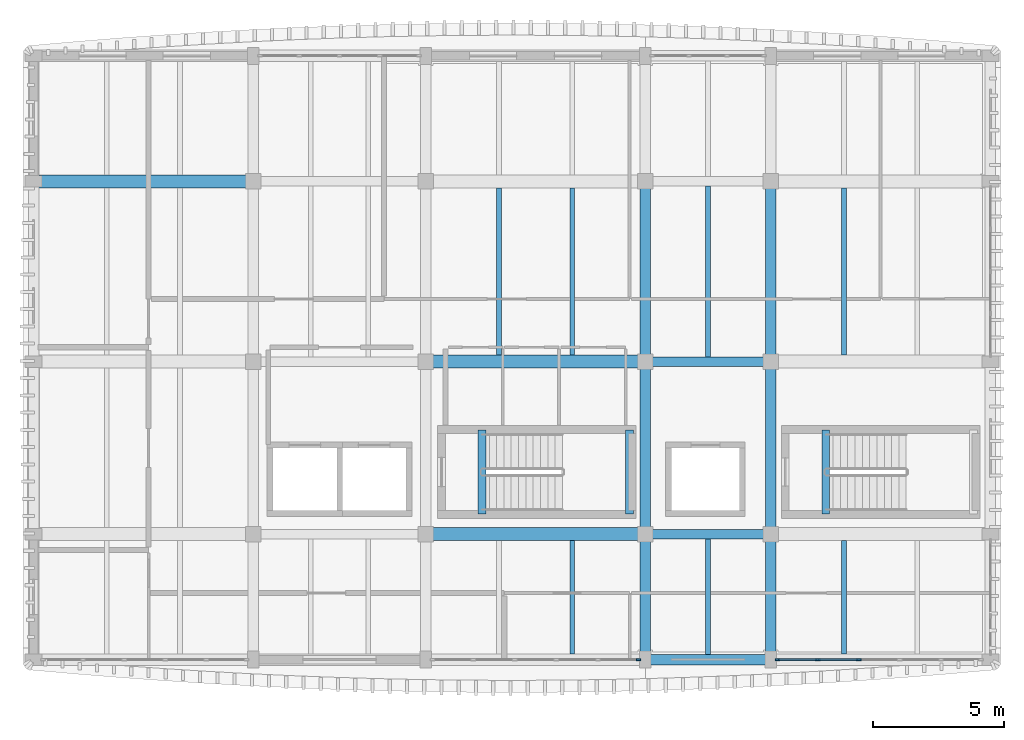
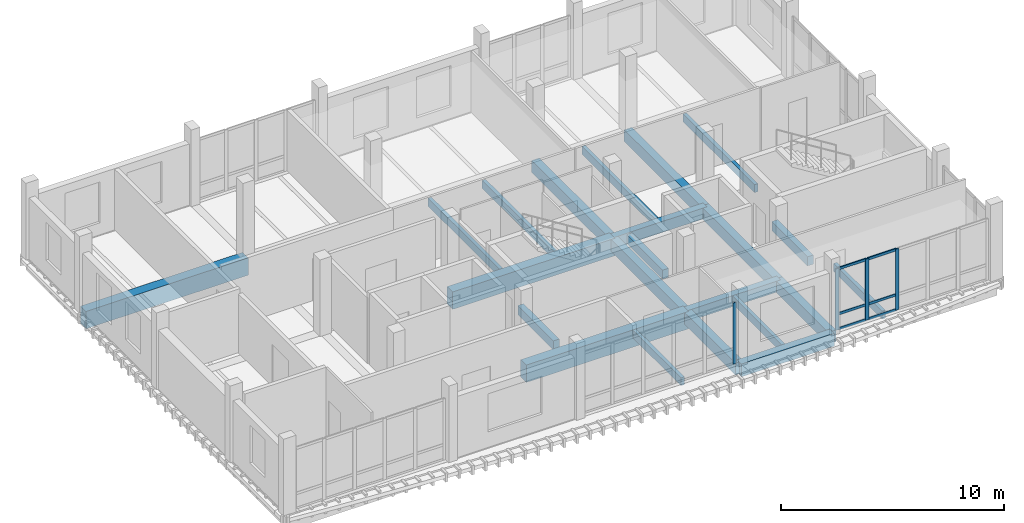
# One storey, part 3 of 16: 22 beams, 10 members, 2 elements without a shape of their own.
"""IFC4 building model written with IfcOpenShell, lengths in metres."""

from ifc_helpers import new_model, si_unit, direction, frame, origin, origin_2d, place, context, subcontext, project, spatial, rectangle, extrude, material, material_profile, profile_set, type_object, element, aggregate, save


model = new_model("IFC4")

# Units and contexts
model_context = context("Model", 3, precision=1e-05, world=origin(), true_north=direction((0.0, 1.0)))
body_context = subcontext(model_context, "Body", "Model", "MODEL_VIEW")
ifc_project = project(units=[si_unit("LENGTHUNIT", "METRE"), si_unit("AREAUNIT", "SQUARE_METRE"), si_unit("VOLUMEUNIT", "CUBIC_METRE"), si_unit("PLANEANGLEUNIT", "RADIAN"), si_unit("MASSUNIT", "GRAM", prefix="KILO")], contexts=[model_context])

# Site, building, storey
site_placement = place(None, origin())
site = spatial("IfcSite", under=ifc_project, at=site_placement, CompositionType="ELEMENT")
building_placement = place(site_placement, origin())
building = spatial("IfcBuilding", under=site, at=building_placement, Name="Dornvale Research Institute", CompositionType="ELEMENT")
storey_placement = place(building_placement, frame((0.0, 0.0, 42.60009765625)))
storey = spatial("IfcBuildingStorey", under=building, at=storey_placement, Name="L09", CompositionType="ELEMENT", Elevation=42.60009765625)

# Beams
ifc_material_1 = material(Name="Concrete f'c 45 MPa (C35/45)", Category="concrete")
ifc_material_profile_1 = material_profile(ifc_material_1, rectangle(XDim=0.300048828125, YDim=0.5, at=origin_2d()), Name="RC 300x500")
ifc_profile_set_1 = profile_set([ifc_material_profile_1], Name="Concrete f'c 45 MPa (C35/45)")
beam_type_1 = type_object("IfcBeamType", Name="Beam_RC300x500_Trim", PredefinedType="BEAM", material=ifc_profile_set_1)
for number, where, z_axis, x_axis, name in (
    (1, (21.949951171875, 104.580078125, -0.25), (0.0, 1.0, 0.0), (-1.0, 0.0, 0.0), "L09 ST-1 stair landing trimmer beam #10"),
    (2, (27.60009765625, 104.580078125, 1.64990234375), (0.0, 1.0, 0.0), (-1.0, 0.0, 0.0), "L09 ST-1 half-landing support beam #23"),
    (3, (35.10009765625, 104.580078125, -0.25), (0.0, 1.0, 0.0), (-1.0, 0.0, 0.0), "L09 ST-2 stair landing trimmer beam #33"),
):
    element("IfcBeam", number, at=place(storey_placement, frame(where, z_axis=z_axis, x_axis=x_axis)), inside=storey, type_object=beam_type_1, Name=name, PredefinedType="BEAM", context=body_context, shape_type="SweptSolid", body=[
        extrude(rectangle(XDim=0.300048828125, YDim=0.5, at=origin_2d()), origin(), (0.0, 0.0, 1.0), 3.199951171875),
    ])
ifc_material_2 = material(Name="Concrete f'c 45 MPa (C35/45)", Category="concrete")
ifc_material_profile_2 = material_profile(ifc_material_2, rectangle(XDim=0.35009765625, YDim=0.60009765625, at=origin_2d()), Name="RC 350x600")
ifc_profile_set_2 = profile_set([ifc_material_profile_2], Name="Concrete f'c 45 MPa (C35/45)")
beam_type_2 = type_object("IfcBeamType", Name="Beam_RC350x600_Floor", PredefinedType="BEAM", material=ifc_profile_set_2)
for number, where, z_axis, x_axis, name in (
    (4, (28.199951171875, 103.800048828125, -0.300048828125), (1.0, 0.0, 0.0), (0.0, 1.0, 0.0), "L09 primary girder #1719"),
    (5, (28.199951171875, 110.39990234375, -0.300048828125), (1.0, 0.0, 0.0), (0.0, 1.0, 0.0), "L09 primary girder #1724"),
):
    element("IfcBeam", number, at=place(storey_placement, frame(where, z_axis=z_axis, x_axis=x_axis)), inside=storey, type_object=beam_type_2, Name=name, PredefinedType="BEAM", context=body_context, shape_type="SweptSolid", body=[
        extrude(rectangle(XDim=0.35009765625, YDim=0.60009765625, at=origin_2d()), origin(), (0.0, 0.0, 1.0), 4.800048828125),
    ])
ifc_material_3 = material(Name="Concrete f'c 45 MPa (C35/45)", Category="concrete")
ifc_material_profile_3 = material_profile(ifc_material_3, rectangle(XDim=0.39990234375, YDim=0.64990234375, at=origin_2d()), Name="RC 400x650")
ifc_profile_set_3 = profile_set([ifc_material_profile_3], Name="Concrete f'c 45 MPa (C35/45)")
beam_type_3 = type_object("IfcBeamType", Name="Beam_RC400x650_Floor", PredefinedType="BEAM", material=ifc_profile_set_3)
beam_1_placement = place(storey_placement, frame((28.199951171875, 99.0, -0.3251953125), z_axis=(0.0, 1.0, 0.0), x_axis=(-1.0, 0.0, 0.0)))
element("IfcBeam", 6, at=beam_1_placement, inside=storey, type_object=beam_type_3, Name="L09 transverse girder #1748", PredefinedType="BEAM", context=body_context, shape_type="SweptSolid", body=[
    extrude(rectangle(XDim=0.39990234375, YDim=0.64990234375, at=origin_2d()), origin(), (0.0, 0.0, 1.0), 4.800048828125),
])
beam_2_placement = place(storey_placement, frame((28.199951171875, 103.800048828125, -0.3251953125), z_axis=(0.0, 1.0, 0.0), x_axis=(-1.0, 0.0, 0.0)))
element("IfcBeam", 7, at=beam_2_placement, inside=storey, type_object=beam_type_3, Name="L09 transverse girder #1749", PredefinedType="BEAM", context=body_context, shape_type="SweptSolid", body=[
    extrude(rectangle(XDim=0.39990234375, YDim=0.64990234375, at=origin_2d()), origin(), (0.0, 0.0, 1.0), 6.599853515625),
])
beam_3_placement = place(storey_placement, frame((28.199951171875, 110.39990234375, -0.3251953125), z_axis=(0.0, 1.0, 0.0), x_axis=(-1.0, 0.0, 0.0)))
element("IfcBeam", 8, at=beam_3_placement, inside=storey, type_object=beam_type_3, Name="L09 transverse girder #1750", PredefinedType="BEAM", context=body_context, shape_type="SweptSolid", body=[
    extrude(rectangle(XDim=0.39990234375, YDim=0.64990234375, at=origin_2d()), origin(), (0.0, 0.0, 1.0), 6.900146484375),
])
beam_4_placement = place(storey_placement, frame((33.0, 99.0, -0.3251953125), z_axis=(0.0, 1.0, 0.0), x_axis=(-1.0, 0.0, 0.0)))
element("IfcBeam", 9, at=beam_4_placement, inside=storey, type_object=beam_type_3, Name="L09 transverse girder #1752", PredefinedType="BEAM", context=body_context, shape_type="SweptSolid", body=[
    extrude(rectangle(XDim=0.39990234375, YDim=0.64990234375, at=origin_2d()), origin(), (0.0, 0.0, 1.0), 4.800048828125),
])
beam_5_placement = place(storey_placement, frame((33.0, 103.800048828125, -0.3251953125), z_axis=(0.0, 1.0, 0.0), x_axis=(-1.0, 0.0, 0.0)))
element("IfcBeam", 10, at=beam_5_placement, inside=storey, type_object=beam_type_3, Name="L09 transverse girder #1753", PredefinedType="BEAM", context=body_context, shape_type="SweptSolid", body=[
    extrude(rectangle(XDim=0.39990234375, YDim=0.64990234375, at=origin_2d()), origin(), (0.0, 0.0, 1.0), 6.599853515625),
])
beam_6_placement = place(storey_placement, frame((33.0, 110.39990234375, -0.3251953125), z_axis=(0.0, 1.0, 0.0), x_axis=(-1.0, 0.0, 0.0)))
element("IfcBeam", 11, at=beam_6_placement, inside=storey, type_object=beam_type_3, Name="L09 transverse girder #1754", PredefinedType="BEAM", context=body_context, shape_type="SweptSolid", body=[
    extrude(rectangle(XDim=0.39990234375, YDim=0.64990234375, at=origin_2d()), origin(), (0.0, 0.0, 1.0), 6.900146484375),
])
ifc_material_4 = material(Name="Concrete f'c 45 MPa (C35/45)", Category="concrete")
ifc_material_profile_4 = material_profile(ifc_material_4, rectangle(XDim=0.5, YDim=0.949951171875, at=origin_2d()), Name="RC 500x950")
ifc_profile_set_4 = profile_set([ifc_material_profile_4], Name="Concrete f'c 45 MPa (C35/45)")
beam_type_4 = type_object("IfcBeamType", Name="Beam_RC500x950_Girder", PredefinedType="BEAM", material=ifc_profile_set_4)
for number, where, z_axis, x_axis, name in (
    (12, (19.800048828125, 103.800048828125, -0.47509765625), (1.0, 0.0, 0.0), (0.0, 1.0, 0.0), "L09 primary girder #1718"),
    (13, (19.800048828125, 110.39990234375, -0.47509765625), (1.0, 0.0, 0.0), (0.0, 1.0, 0.0), "L09 primary girder #1723"),
    (14, (4.800048828125, 117.300048828125, -0.47509765625), (1.0, 0.0, 0.0), (0.0, 1.0, 0.0), "L09 primary girder #1726"),
):
    element("IfcBeam", number, at=place(storey_placement, frame(where, z_axis=z_axis, x_axis=x_axis)), inside=storey, type_object=beam_type_4, Name=name, PredefinedType="BEAM", context=body_context, shape_type="SweptSolid", body=[
        extrude(rectangle(XDim=0.5, YDim=0.949951171875, at=origin_2d()), origin(), (0.0, 0.0, 1.0), 8.39990234375),
    ])
ifc_material_5 = material(Name="Concrete f'c 45 MPa (C35/45)", Category="concrete")
ifc_material_profile_5 = material_profile(ifc_material_5, rectangle(XDim=0.179931640625, YDim=0.43505859375, at=origin_2d()), Name="RC 180x435")
ifc_profile_set_5 = profile_set([ifc_material_profile_5], Name="Concrete f'c 45 MPa (C35/45)")
beam_type_5 = type_object("IfcBeamType", Name="Joist_RC180x435_Rib", PredefinedType="JOIST", material=ifc_profile_set_5)
beam_7_placement = place(storey_placement, frame((25.39990234375, 99.22509765625, -0.217529296875), z_axis=(0.0, 1.0, 0.0), x_axis=(-1.0, 0.0, 0.0)))
element("IfcBeam", 15, at=beam_7_placement, inside=storey, type_object=beam_type_5, Name="L09 laboratory waffle joist #836", PredefinedType="JOIST", context=body_context, shape_type="SweptSolid", body=[
    extrude(rectangle(XDim=0.179931640625, YDim=0.43505859375, at=origin_2d()), origin(), (0.0, 0.0, 1.0), 4.324951171875),
])
for number, where, z_axis, x_axis, name in (
    (16, (22.60009765625, 110.64990234375, -0.217529296875), (0.0, 1.0, 0.0), (-1.0, 0.0, 0.0), "L09 laboratory waffle joist #837"),
    (17, (25.39990234375, 110.64990234375, -0.217529296875), (0.0, 1.0, 0.0), (-1.0, 0.0, 0.0), "L09 laboratory waffle joist #838"),
):
    element("IfcBeam", number, at=place(storey_placement, frame(where, z_axis=z_axis, x_axis=x_axis)), inside=storey, type_object=beam_type_5, Name=name, PredefinedType="JOIST", context=body_context, shape_type="SweptSolid", body=[
        extrude(rectangle(XDim=0.179931640625, YDim=0.43505859375, at=origin_2d()), origin(), (0.0, 0.0, 1.0), 6.400146484375),
    ])
beam_8_placement = place(storey_placement, frame((30.60009765625, 99.199951171875, -0.217529296875), z_axis=(0.0, 1.0, 0.0), x_axis=(-1.0, 0.0, 0.0)))
element("IfcBeam", 18, at=beam_8_placement, inside=storey, type_object=beam_type_5, Name="L09 laboratory waffle joist #841", PredefinedType="JOIST", context=body_context, shape_type="SweptSolid", body=[
    extrude(rectangle(XDim=0.179931640625, YDim=0.43505859375, at=origin_2d()), origin(), (0.0, 0.0, 1.0), 4.425048828125),
])
beam_9_placement = place(storey_placement, frame((30.60009765625, 110.574951171875, -0.217529296875), z_axis=(0.0, 1.0, 0.0), x_axis=(-1.0, 0.0, 0.0)))
element("IfcBeam", 19, at=beam_9_placement, inside=storey, type_object=beam_type_5, Name="L09 laboratory waffle joist #842", PredefinedType="JOIST", context=body_context, shape_type="SweptSolid", body=[
    extrude(rectangle(XDim=0.179931640625, YDim=0.43505859375, at=origin_2d()), origin(), (0.0, 0.0, 1.0), 6.550048828125),
])
beam_10_placement = place(storey_placement, frame((35.800048828125, 99.22509765625, -0.217529296875), z_axis=(0.0, 1.0, 0.0), x_axis=(-1.0, 0.0, 0.0)))
element("IfcBeam", 20, at=beam_10_placement, inside=storey, type_object=beam_type_5, Name="L09 laboratory waffle joist #844", PredefinedType="JOIST", context=body_context, shape_type="SweptSolid", body=[
    extrude(rectangle(XDim=0.179931640625, YDim=0.43505859375, at=origin_2d()), origin(), (0.0, 0.0, 1.0), 4.324951171875),
])
beam_11_placement = place(storey_placement, frame((35.800048828125, 110.64990234375, -0.217529296875), z_axis=(0.0, 1.0, 0.0), x_axis=(-1.0, 0.0, 0.0)))
element("IfcBeam", 21, at=beam_11_placement, inside=storey, type_object=beam_type_5, Name="L09 laboratory waffle joist #846", PredefinedType="JOIST", context=body_context, shape_type="SweptSolid", body=[
    extrude(rectangle(XDim=0.179931640625, YDim=0.43505859375, at=origin_2d()), origin(), (0.0, 0.0, 1.0), 6.400146484375),
])

# Curtain wall, members
ifc_material_6 = material(Name="Low-E Argon Double Insulating Glazing Unit", Category="glass")
curtain_wall_type_1 = type_object("IfcCurtainWallType", Name="UnitisedCurtainWall_V5_7850x3350", PredefinedType="USERDEFINED", material=ifc_material_6)
curtain_wall_1_placement = place(storey_placement, origin())
curtain_wall_1 = element("IfcCurtainWall", 22, at=curtain_wall_1_placement, inside=storey, type_object=curtain_wall_type_1, Name="L09 V5 unitised curtain wall CW-37 #199", ObjectType="UNITISED CURTAIN WALL", PredefinedType="USERDEFINED")
ifc_material_7 = material(Name="Anodized Aluminum AA 6063-T6 Thermally Broken Frame", Category="aluminium")
ifc_material_profile_6 = material_profile(ifc_material_7, rectangle(XDim=0.06494140625, YDim=0.179931640625, at=origin_2d()), Name="ALU MULLION 65x180")
ifc_profile_set_6 = profile_set([ifc_material_profile_6], Name="Anodized Aluminum AA 6063-T6 Thermally Broken Frame")
member_type_1 = type_object("IfcMemberType", Name="Mullion_CW_65x180", PredefinedType="MULLION", material=ifc_profile_set_6)
member_1_placement = place(storey_placement, frame((36.364990234375, 99.0, 0.0), z_axis=(0.0, 0.0, 1.0), x_axis=(0.0, -1.0, 0.0)))
member_1 = element("IfcMember", 23, at=member_1_placement, type_object=member_type_1, Name="CW-37 mullion 4", PredefinedType="MULLION", context=body_context, shape_type="SweptSolid", body=[
    extrude(rectangle(XDim=0.06494140625, YDim=0.179931640625, at=origin_2d()), origin(), (0.0, 0.0, 1.0), 3.349853515625),
])
member_2_placement = place(storey_placement, frame((34.794921875, 99.0, 0.0), z_axis=(0.0, 0.0, 1.0), x_axis=(0.0, -1.0, 0.0)))
member_2 = element("IfcMember", 24, at=member_2_placement, type_object=member_type_1, Name="CW-37 mullion 5", PredefinedType="MULLION", context=body_context, shape_type="SweptSolid", body=[
    extrude(rectangle(XDim=0.06494140625, YDim=0.179931640625, at=origin_2d()), origin(), (0.0, 0.0, 1.0), 3.349853515625),
])
member_3_placement = place(storey_placement, frame((33.257568359375, 99.0, 0.0), z_axis=(0.0, 0.0, 1.0), x_axis=(0.0, -1.0, 0.0)))
member_3 = element("IfcMember", 25, at=member_3_placement, type_object=member_type_1, Name="CW-37 mullion 6", PredefinedType="MULLION", context=body_context, shape_type="SweptSolid", body=[
    extrude(rectangle(XDim=0.06494140625, YDim=0.179931640625, at=origin_2d()), origin(), (0.0, 0.0, 1.0), 3.349853515625),
])

# Curtain wall, member
ifc_material_8 = material(Name="Low-E Argon Double Insulating Glazing Unit", Category="glass")
curtain_wall_type_2 = type_object("IfcCurtainWallType", Name="UnitisedCurtainWall_V5_7950x3350", PredefinedType="USERDEFINED", material=ifc_material_8)
curtain_wall_2_placement = place(storey_placement, origin())
curtain_wall_2 = element("IfcCurtainWall", 26, at=curtain_wall_2_placement, inside=storey, type_object=curtain_wall_type_2, Name="L09 V5 unitised curtain wall CW-38 #200", ObjectType="UNITISED CURTAIN WALL", PredefinedType="USERDEFINED")
member_4_placement = place(storey_placement, frame((27.9423828125, 99.0, 0.0), z_axis=(0.0, 0.0, 1.0), x_axis=(0.0, -1.0, 0.0)))
member_4 = element("IfcMember", 27, at=member_4_placement, type_object=member_type_1, Name="CW-38 mullion 1", PredefinedType="MULLION", context=body_context, shape_type="SweptSolid", body=[
    extrude(rectangle(XDim=0.06494140625, YDim=0.179931640625, at=origin_2d()), origin(), (0.0, 0.0, 1.0), 3.349853515625),
])
aggregate(curtain_wall_2, [member_4])

# Beam
ifc_material_9 = material(Name="Concrete f'c 45 MPa (C35/45)", Category="concrete")
ifc_material_profile_7 = material_profile(ifc_material_9, rectangle(XDim=0.39990234375, YDim=0.699951171875, at=origin_2d()), Name="RC 400x700")
ifc_profile_set_7 = profile_set([ifc_material_profile_7], Name="Concrete f'c 45 MPa (C35/45)")
beam_type_6 = type_object("IfcBeamType", Name="Spandrel_RC400x700_Ext", PredefinedType="SPANDREL", material=ifc_profile_set_7)
beam_12_placement = place(storey_placement, frame((28.199951171875, 99.0, -0.35009765625), z_axis=(1.0, 0.0, 0.0), x_axis=(0.0, 1.0, 0.0)))
element("IfcBeam", 28, at=beam_12_placement, inside=storey, type_object=beam_type_6, Name="L09 perimeter spandrel #1714", PredefinedType="SPANDREL", context=body_context, shape_type="SweptSolid", body=[
    extrude(rectangle(XDim=0.39990234375, YDim=0.699951171875, at=origin_2d()), origin(), (0.0, 0.0, 1.0), 4.800048828125),
])

# Member
ifc_material_10 = material(Name="Anodized Aluminum AA 6063-T6 Thermally Broken Frame", Category="aluminium")
ifc_material_profile_8 = material_profile(ifc_material_10, rectangle(XDim=0.06494140625, YDim=0.135009765625, at=origin_2d()), Name="ALU TRANSOM 65x135")
ifc_profile_set_8 = profile_set([ifc_material_profile_8], Name="Anodized Aluminum AA 6063-T6 Thermally Broken Frame")
member_type_2 = type_object("IfcMemberType", Name="Transom_CW_65x135", PredefinedType="USERDEFINED", material=ifc_profile_set_8)
member_5_placement = place(storey_placement, frame((36.33251953125, 99.0, 0.032470703125), z_axis=(-1.0, 0.0, 0.0), x_axis=(0.0, -1.0, 0.0)))
member_5 = element("IfcMember", 29, at=member_5_placement, type_object=member_type_2, Name="CW-37 transom 4.1", ObjectType="TRANSOM", PredefinedType="USERDEFINED", context=body_context, shape_type="SweptSolid", body=[
    extrude(rectangle(XDim=0.06494140625, YDim=0.135009765625, at=origin_2d()), origin(), (0.0, 0.0, 1.0), 1.505126953125),
])

member_6_placement = place(storey_placement, frame((36.33251953125, 99.0, 0.849853515625), z_axis=(-1.0, 0.0, 0.0), x_axis=(0.0, -1.0, 0.0)))
member_6 = element("IfcMember", 30, at=member_6_placement, type_object=member_type_2, Name="CW-37 transom 4.2", ObjectType="TRANSOM", PredefinedType="USERDEFINED", context=body_context, shape_type="SweptSolid", body=[
    extrude(rectangle(XDim=0.06494140625, YDim=0.135009765625, at=origin_2d()), origin(), (0.0, 0.0, 1.0), 1.505126953125),
])

member_7_placement = place(storey_placement, frame((36.33251953125, 99.0, 3.3173828125), z_axis=(-1.0, 0.0, 0.0), x_axis=(0.0, -1.0, 0.0)))
member_7 = element("IfcMember", 31, at=member_7_placement, type_object=member_type_2, Name="CW-37 transom 4.3", ObjectType="TRANSOM", PredefinedType="USERDEFINED", context=body_context, shape_type="SweptSolid", body=[
    extrude(rectangle(XDim=0.06494140625, YDim=0.135009765625, at=origin_2d()), origin(), (0.0, 0.0, 1.0), 1.505126953125),
])

member_8_placement = place(storey_placement, frame((34.762451171875, 99.0, 0.032470703125), z_axis=(-1.0, 0.0, 0.0), x_axis=(0.0, -1.0, 0.0)))
member_8 = element("IfcMember", 32, at=member_8_placement, type_object=member_type_2, Name="CW-37 transom 5.1", ObjectType="TRANSOM", PredefinedType="USERDEFINED", context=body_context, shape_type="SweptSolid", body=[
    extrude(rectangle(XDim=0.06494140625, YDim=0.135009765625, at=origin_2d()), origin(), (0.0, 0.0, 1.0), 1.472412109375),
])

member_9_placement = place(storey_placement, frame((34.762451171875, 99.0, 0.849853515625), z_axis=(-1.0, 0.0, 0.0), x_axis=(0.0, -1.0, 0.0)))
member_9 = element("IfcMember", 33, at=member_9_placement, type_object=member_type_2, Name="CW-37 transom 5.2", ObjectType="TRANSOM", PredefinedType="USERDEFINED", context=body_context, shape_type="SweptSolid", body=[
    extrude(rectangle(XDim=0.06494140625, YDim=0.135009765625, at=origin_2d()), origin(), (0.0, 0.0, 1.0), 1.472412109375),
])

member_10_placement = place(storey_placement, frame((34.762451171875, 99.0, 3.3173828125), z_axis=(-1.0, 0.0, 0.0), x_axis=(0.0, -1.0, 0.0)))
member_10 = element("IfcMember", 34, at=member_10_placement, type_object=member_type_2, Name="CW-37 transom 5.3", ObjectType="TRANSOM", PredefinedType="USERDEFINED", context=body_context, shape_type="SweptSolid", body=[
    extrude(rectangle(XDim=0.06494140625, YDim=0.135009765625, at=origin_2d()), origin(), (0.0, 0.0, 1.0), 1.472412109375),
])

aggregate(curtain_wall_1, [member_1, member_2, member_3, member_5, member_6, member_7, member_8, member_9, member_10])

save(model, "model.ifc")
